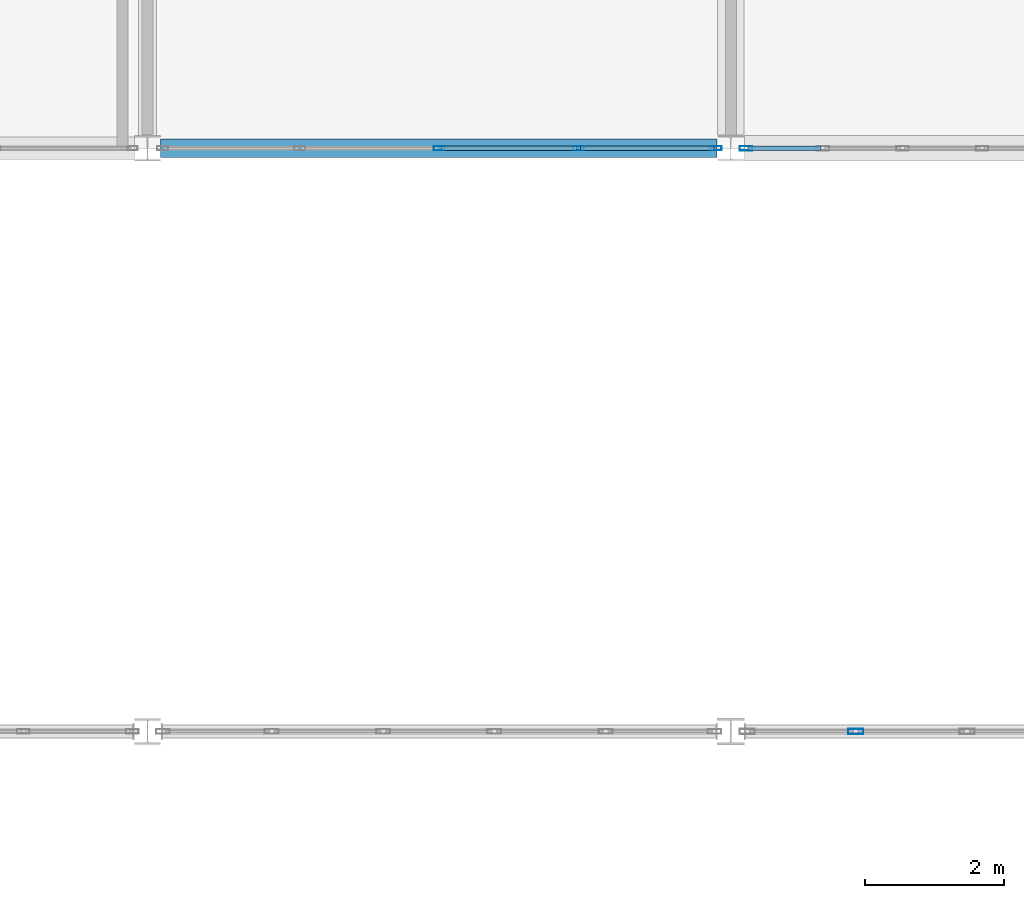
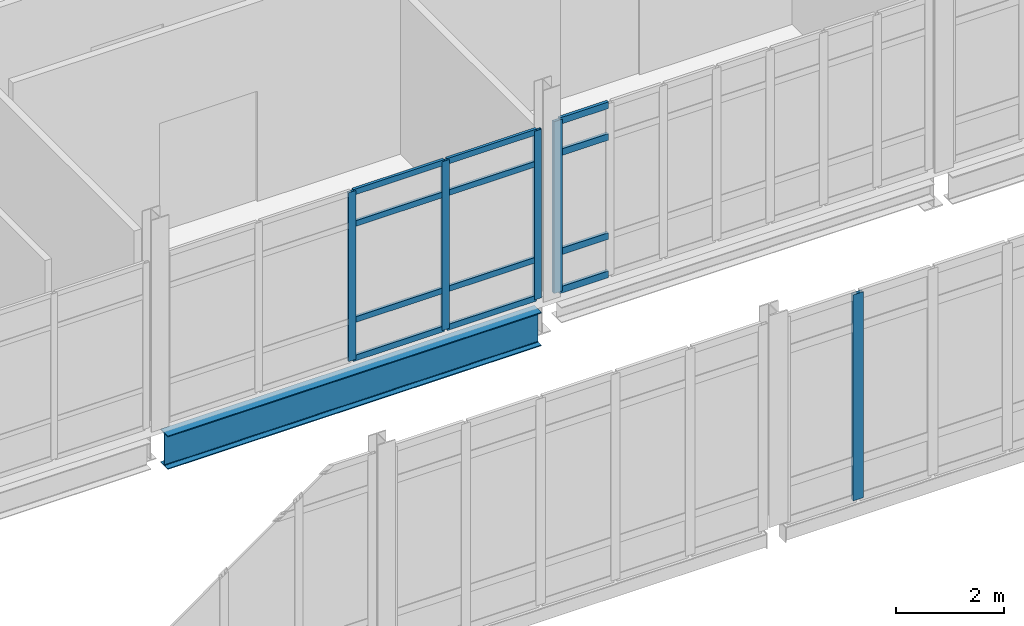
# One storey, part 24 of 186: 17 members, 1 beam, 3 elements without a shape of their own.
"""IFC4 building model written with IfcOpenShell, lengths in metres."""

from ifc_helpers import new_model, si_unit, direction, frame, origin, origin_2d, place, context, subcontext, project, spatial, hollow_rectangle, i_section, extrude, material, layer, layer_set, material_profile, profile_set, type_object, element, aggregate, save


model = new_model("IFC4")

# Units and contexts
model_context = context("Model", 3, precision=1e-05, world=origin(), true_north=direction((0.0, 1.0)))
body_context = subcontext(model_context, "Body", "Model", "MODEL_VIEW")
ifc_project = project(units=[si_unit("LENGTHUNIT", "METRE"), si_unit("AREAUNIT", "SQUARE_METRE"), si_unit("VOLUMEUNIT", "CUBIC_METRE"), si_unit("PLANEANGLEUNIT", "RADIAN"), si_unit("MASSUNIT", "GRAM", prefix="KILO")], contexts=[model_context])

# Site, building, storey
site_placement = place(None, origin())
site = spatial("IfcSite", under=ifc_project, at=site_placement, CompositionType="ELEMENT")
building_placement = place(site_placement, origin())
building = spatial("IfcBuilding", under=site, at=building_placement, Name="Calvrana Isthmian Art Gallery", CompositionType="ELEMENT")
storey_placement = place(building_placement, frame((0.0, 0.0, 5.39990234375)))
storey = spatial("IfcBuildingStorey", under=building, at=storey_placement, Name="L01", CompositionType="ELEMENT", Elevation=5.39990234375)

# Beam
ifc_material_1 = material(Name="Steel ASTM A992 Gr 50", Category="steel")
ifc_material_profile_1 = material_profile(ifc_material_1, i_section(OverallWidth=0.26708984375, OverallDepth=0.761962890625, WebThickness=0.014404296875, FlangeThickness=0.021484375, FilletRadius=0.02490234375, at=origin_2d()), Name="W30X116")
ifc_profile_set_1 = profile_set([ifc_material_profile_1], Name="Steel ASTM A992 Gr 50")
beam_type = type_object("IfcBeamType", Name="BM-G-W30X116", PredefinedType="BEAM", material=ifc_profile_set_1)
beam_placement = place(storey_placement, frame((38.58642578125, 30.0, -0.6259765625), z_axis=(1.0, 0.0, 0.0), x_axis=(0.0, 1.0, 0.0)))
element("IfcBeam", 1, at=beam_placement, inside=storey, type_object=beam_type, Name="Girder X L01 06-07/E", PredefinedType="BEAM", context=body_context, shape_type="SweptSolid", body=[
    extrude(i_section(OverallWidth=0.26708984375, OverallDepth=0.761962890625, WebThickness=0.014404296875, FlangeThickness=0.021484375, FilletRadius=0.02490234375, at=origin_2d()), origin(), (0.0, 0.0, 1.0), 8.01416015625),
])

# Curtain wall, members
ifc_material_2 = material(Name="Anodized bronze aluminium 6063-T6", Category="aluminium")
ifc_layer_1 = layer(ifc_material_2, 0.179931640625, Name="Anodized bronze aluminium 6063-T6")
ifc_layer_set_1 = layer_set([ifc_layer_1], Name="Anodized bronze aluminium 6063-T6")
curtain_wall_type_1 = type_object("IfcCurtainWallType", Name="CW-UNIT-080X38", PredefinedType="USERDEFINED", material=ifc_layer_set_1)
curtain_wall_1_placement = place(storey_placement, origin())
curtain_wall_1 = element("IfcCurtainWall", 2, at=curtain_wall_1_placement, inside=storey, type_object=curtain_wall_type_1, Name="Curtain wall CW-091", ObjectType="UNITISED CURTAIN WALL", PredefinedType="USERDEFINED")
ifc_material_profile_2 = material_profile(ifc_material_2, hollow_rectangle(XDim=0.06005859375, YDim=0.159912109375, WallThickness=0.00390625, at=origin_2d()), Name="CWM60X160")
ifc_profile_set_2 = profile_set([ifc_material_profile_2], Name="Anodized bronze aluminium 6063-T6")
member_type_1 = type_object("IfcMemberType", Name="CWM-CWM60X160", PredefinedType="MULLION", material=ifc_profile_set_2)
member_1_placement = place(storey_placement, frame((46.5859375, 30.0, 0.0), z_axis=(0.0, 0.0, 1.0), x_axis=(0.0, -1.0, 0.0)))
member_1 = element("IfcMember", 3, at=member_1_placement, type_object=member_type_1, Name="CW-091 mullion 1", PredefinedType="MULLION", context=body_context, shape_type="SweptSolid", body=[
    extrude(hollow_rectangle(XDim=0.06005859375, YDim=0.159912109375, WallThickness=0.00390625, at=origin_2d()), origin(), (0.0, 0.0, 1.0), 3.8271484375),
])
member_2_placement = place(storey_placement, frame((44.6083984375, 30.0, 0.0), z_axis=(0.0, 0.0, 1.0), x_axis=(0.0, -1.0, 0.0)))
member_2 = element("IfcMember", 4, at=member_2_placement, type_object=member_type_1, Name="CW-091 mullion 2", PredefinedType="MULLION", context=body_context, shape_type="SweptSolid", body=[
    extrude(hollow_rectangle(XDim=0.06005859375, YDim=0.159912109375, WallThickness=0.00390625, at=origin_2d()), origin(), (0.0, 0.0, 1.0), 3.8271484375),
])
member_3_placement = place(storey_placement, frame((42.600830078125, 30.0, 0.0), z_axis=(0.0, 0.0, 1.0), x_axis=(0.0, -1.0, 0.0)))
member_3 = element("IfcMember", 5, at=member_3_placement, type_object=member_type_1, Name="CW-091 mullion 3", PredefinedType="MULLION", context=body_context, shape_type="SweptSolid", body=[
    extrude(hollow_rectangle(XDim=0.06005859375, YDim=0.159912109375, WallThickness=0.00390625, at=origin_2d()), origin(), (0.0, 0.0, 1.0), 3.8271484375),
])

# Curtain wall, member
ifc_layer_2 = layer(ifc_material_2, 0.179931640625, Name="Anodized bronze aluminium 6063-T6")
ifc_layer_set_2 = layer_set([ifc_layer_2], Name="Anodized bronze aluminium 6063-T6")
curtain_wall_type_2 = type_object("IfcCurtainWallType", Name="CW-STICK-080X39", PredefinedType="NOTDEFINED", material=ifc_layer_set_2)
curtain_wall_2_placement = place(storey_placement, origin())
curtain_wall_2 = element("IfcCurtainWall", 6, at=curtain_wall_2_placement, inside=storey, type_object=curtain_wall_type_2, Name="Curtain wall CW-092", PredefinedType="NOTDEFINED")
ifc_material_profile_3 = material_profile(ifc_material_2, hollow_rectangle(XDim=0.06494140625, YDim=0.179931640625, WallThickness=0.00439453125, at=origin_2d()), Name="CWM65X180")
ifc_profile_set_3 = profile_set([ifc_material_profile_3], Name="Anodized bronze aluminium 6063-T6")
member_type_2 = type_object("IfcMemberType", Name="CWM-CWM65X180", PredefinedType="MULLION", material=ifc_profile_set_3)
member_4_placement = place(storey_placement, frame((47.0166015625, 30.0, 0.0), z_axis=(0.0, 0.0, 1.0), x_axis=(0.0, -1.0, 0.0)))
member_4 = element("IfcMember", 7, at=member_4_placement, type_object=member_type_2, Name="CW-092 mullion 8", PredefinedType="MULLION", context=body_context, shape_type="SweptSolid", body=[
    extrude(hollow_rectangle(XDim=0.06494140625, YDim=0.179931640625, WallThickness=0.00439453125, at=origin_2d()), origin(), (0.0, 0.0, 1.0), 3.898193359375),
])

ifc_layer_3 = layer(ifc_material_2, 0.179931640625, Name="Anodized bronze aluminium 6063-T6")
ifc_layer_set_3 = layer_set([ifc_layer_3], Name="Anodized bronze aluminium 6063-T6")
curtain_wall_type_3 = type_object("IfcCurtainWallType", Name="CW-STICK-080X47", PredefinedType="NOTDEFINED", material=ifc_layer_set_3)
curtain_wall_3_placement = place(storey_placement, origin())
curtain_wall_3 = element("IfcCurtainWall", 8, at=curtain_wall_3_placement, inside=storey, type_object=curtain_wall_type_3, Name="Curtain wall CW-004", PredefinedType="NOTDEFINED")
ifc_material_profile_4 = material_profile(ifc_material_2, hollow_rectangle(XDim=0.074951171875, YDim=0.219970703125, WallThickness=0.0048828125, at=origin_2d()), Name="CWM75X220")
ifc_profile_set_4 = profile_set([ifc_material_profile_4], Name="Anodized bronze aluminium 6063-T6")
member_type_3 = type_object("IfcMemberType", Name="CWM-CWM75X220", PredefinedType="MULLION", material=ifc_profile_set_4)
member_5_placement = place(storey_placement, frame((48.60009765625, 21.60009765625, -0.14990234375), z_axis=(0.0, 0.0, 1.0), x_axis=(0.0, -1.0, 0.0)))
member_5 = element("IfcMember", 9, at=member_5_placement, type_object=member_type_3, Name="CW-004 mullion 5", PredefinedType="MULLION", context=body_context, shape_type="SweptSolid", body=[
    extrude(hollow_rectangle(XDim=0.074951171875, YDim=0.219970703125, WallThickness=0.0048828125, at=origin_2d()), origin(), (0.0, 0.0, 1.0), 4.669921875),
])
aggregate(curtain_wall_3, [member_5])

# Member
ifc_material_profile_5 = material_profile(ifc_material_2, hollow_rectangle(XDim=0.06005859375, YDim=0.1298828125, WallThickness=0.00390625, at=origin_2d()), Name="CWT60X130")
ifc_profile_set_5 = profile_set([ifc_material_profile_5], Name="Anodized bronze aluminium 6063-T6")
member_type_4 = type_object("IfcMemberType", Name="CWT-CWT60X130", PredefinedType="USERDEFINED", material=ifc_profile_set_5)
member_6_placement = place(storey_placement, frame((46.555908203125, 30.0, 0.030029296875), z_axis=(-1.0, 0.0, 0.0), x_axis=(0.0, -1.0, 0.0)))
member_6 = element("IfcMember", 10, at=member_6_placement, type_object=member_type_4, Name="CW-091 transom 1.1", ObjectType="TRANSOM", PredefinedType="USERDEFINED", context=body_context, shape_type="SweptSolid", body=[
    extrude(hollow_rectangle(XDim=0.06005859375, YDim=0.1298828125, WallThickness=0.00390625, at=origin_2d()), origin(), (0.0, 0.0, 1.0), 1.91748046875),
])

member_7_placement = place(storey_placement, frame((46.555908203125, 30.0, 0.900146484375), z_axis=(-1.0, 0.0, 0.0), x_axis=(0.0, -1.0, 0.0)))
member_7 = element("IfcMember", 11, at=member_7_placement, type_object=member_type_4, Name="CW-091 transom 1.2", ObjectType="TRANSOM", PredefinedType="USERDEFINED", context=body_context, shape_type="SweptSolid", body=[
    extrude(hollow_rectangle(XDim=0.06005859375, YDim=0.1298828125, WallThickness=0.00390625, at=origin_2d()), origin(), (0.0, 0.0, 1.0), 1.91748046875),
])

member_8_placement = place(storey_placement, frame((46.555908203125, 30.0, 3.0771484375), z_axis=(-1.0, 0.0, 0.0), x_axis=(0.0, -1.0, 0.0)))
member_8 = element("IfcMember", 12, at=member_8_placement, type_object=member_type_4, Name="CW-091 transom 1.3", ObjectType="TRANSOM", PredefinedType="USERDEFINED", context=body_context, shape_type="SweptSolid", body=[
    extrude(hollow_rectangle(XDim=0.06005859375, YDim=0.1298828125, WallThickness=0.00390625, at=origin_2d()), origin(), (0.0, 0.0, 1.0), 1.91748046875),
])

member_9_placement = place(storey_placement, frame((46.555908203125, 30.0, 3.797119140625), z_axis=(-1.0, 0.0, 0.0), x_axis=(0.0, -1.0, 0.0)))
member_9 = element("IfcMember", 13, at=member_9_placement, type_object=member_type_4, Name="CW-091 transom 1.4", ObjectType="TRANSOM", PredefinedType="USERDEFINED", context=body_context, shape_type="SweptSolid", body=[
    extrude(hollow_rectangle(XDim=0.06005859375, YDim=0.1298828125, WallThickness=0.00390625, at=origin_2d()), origin(), (0.0, 0.0, 1.0), 1.91748046875),
])

member_10_placement = place(storey_placement, frame((44.578369140625, 30.0, 0.030029296875), z_axis=(-1.0, 0.0, 0.0), x_axis=(0.0, -1.0, 0.0)))
member_10 = element("IfcMember", 14, at=member_10_placement, type_object=member_type_4, Name="CW-091 transom 2.1", ObjectType="TRANSOM", PredefinedType="USERDEFINED", context=body_context, shape_type="SweptSolid", body=[
    extrude(hollow_rectangle(XDim=0.06005859375, YDim=0.1298828125, WallThickness=0.00390625, at=origin_2d()), origin(), (0.0, 0.0, 1.0), 1.947509765625),
])

member_11_placement = place(storey_placement, frame((44.578369140625, 30.0, 0.900146484375), z_axis=(-1.0, 0.0, 0.0), x_axis=(0.0, -1.0, 0.0)))
member_11 = element("IfcMember", 15, at=member_11_placement, type_object=member_type_4, Name="CW-091 transom 2.2", ObjectType="TRANSOM", PredefinedType="USERDEFINED", context=body_context, shape_type="SweptSolid", body=[
    extrude(hollow_rectangle(XDim=0.06005859375, YDim=0.1298828125, WallThickness=0.00390625, at=origin_2d()), origin(), (0.0, 0.0, 1.0), 1.947509765625),
])

member_12_placement = place(storey_placement, frame((44.578369140625, 30.0, 3.0771484375), z_axis=(-1.0, 0.0, 0.0), x_axis=(0.0, -1.0, 0.0)))
member_12 = element("IfcMember", 16, at=member_12_placement, type_object=member_type_4, Name="CW-091 transom 2.3", ObjectType="TRANSOM", PredefinedType="USERDEFINED", context=body_context, shape_type="SweptSolid", body=[
    extrude(hollow_rectangle(XDim=0.06005859375, YDim=0.1298828125, WallThickness=0.00390625, at=origin_2d()), origin(), (0.0, 0.0, 1.0), 1.947509765625),
])

member_13_placement = place(storey_placement, frame((44.578369140625, 30.0, 3.797119140625), z_axis=(-1.0, 0.0, 0.0), x_axis=(0.0, -1.0, 0.0)))
member_13 = element("IfcMember", 17, at=member_13_placement, type_object=member_type_4, Name="CW-091 transom 2.4", ObjectType="TRANSOM", PredefinedType="USERDEFINED", context=body_context, shape_type="SweptSolid", body=[
    extrude(hollow_rectangle(XDim=0.06005859375, YDim=0.1298828125, WallThickness=0.00390625, at=origin_2d()), origin(), (0.0, 0.0, 1.0), 1.947509765625),
])

aggregate(curtain_wall_1, [member_1, member_2, member_3, member_6, member_7, member_8, member_9, member_10, member_11, member_12, member_13])

ifc_material_profile_6 = material_profile(ifc_material_2, hollow_rectangle(XDim=0.06494140625, YDim=0.14990234375, WallThickness=0.00390625, at=origin_2d()), Name="CWT65X150")
ifc_profile_set_6 = profile_set([ifc_material_profile_6], Name="Anodized bronze aluminium 6063-T6")
member_type_5 = type_object("IfcMemberType", Name="CWT-CWT65X150", PredefinedType="USERDEFINED", material=ifc_profile_set_6)
member_14_placement = place(storey_placement, frame((48.0966796875, 30.0, 0.03271484375), z_axis=(-1.0, 0.0, 0.0), x_axis=(0.0, -1.0, 0.0)))
member_14 = element("IfcMember", 18, at=member_14_placement, type_object=member_type_5, Name="CW-092 transom 7.1", ObjectType="TRANSOM", PredefinedType="USERDEFINED", context=body_context, shape_type="SweptSolid", body=[
    extrude(hollow_rectangle(XDim=0.06494140625, YDim=0.14990234375, WallThickness=0.00390625, at=origin_2d()), origin(), (0.0, 0.0, 1.0), 1.047607421875),
])

member_15_placement = place(storey_placement, frame((48.0966796875, 30.0, 0.900146484375), z_axis=(-1.0, 0.0, 0.0), x_axis=(0.0, -1.0, 0.0)))
member_15 = element("IfcMember", 19, at=member_15_placement, type_object=member_type_5, Name="CW-092 transom 7.2", ObjectType="TRANSOM", PredefinedType="USERDEFINED", context=body_context, shape_type="SweptSolid", body=[
    extrude(hollow_rectangle(XDim=0.06494140625, YDim=0.14990234375, WallThickness=0.00390625, at=origin_2d()), origin(), (0.0, 0.0, 1.0), 1.047607421875),
])

member_16_placement = place(storey_placement, frame((48.0966796875, 30.0, 3.148193359375), z_axis=(-1.0, 0.0, 0.0), x_axis=(0.0, -1.0, 0.0)))
member_16 = element("IfcMember", 20, at=member_16_placement, type_object=member_type_5, Name="CW-092 transom 7.3", ObjectType="TRANSOM", PredefinedType="USERDEFINED", context=body_context, shape_type="SweptSolid", body=[
    extrude(hollow_rectangle(XDim=0.06494140625, YDim=0.14990234375, WallThickness=0.00390625, at=origin_2d()), origin(), (0.0, 0.0, 1.0), 1.047607421875),
])

member_17_placement = place(storey_placement, frame((48.0966796875, 30.0, 3.865478515625), z_axis=(-1.0, 0.0, 0.0), x_axis=(0.0, -1.0, 0.0)))
member_17 = element("IfcMember", 21, at=member_17_placement, type_object=member_type_5, Name="CW-092 transom 7.4", ObjectType="TRANSOM", PredefinedType="USERDEFINED", context=body_context, shape_type="SweptSolid", body=[
    extrude(hollow_rectangle(XDim=0.06494140625, YDim=0.14990234375, WallThickness=0.00390625, at=origin_2d()), origin(), (0.0, 0.0, 1.0), 1.047607421875),
])

aggregate(curtain_wall_2, [member_4, member_14, member_15, member_16, member_17])

save(model, "model.ifc")
